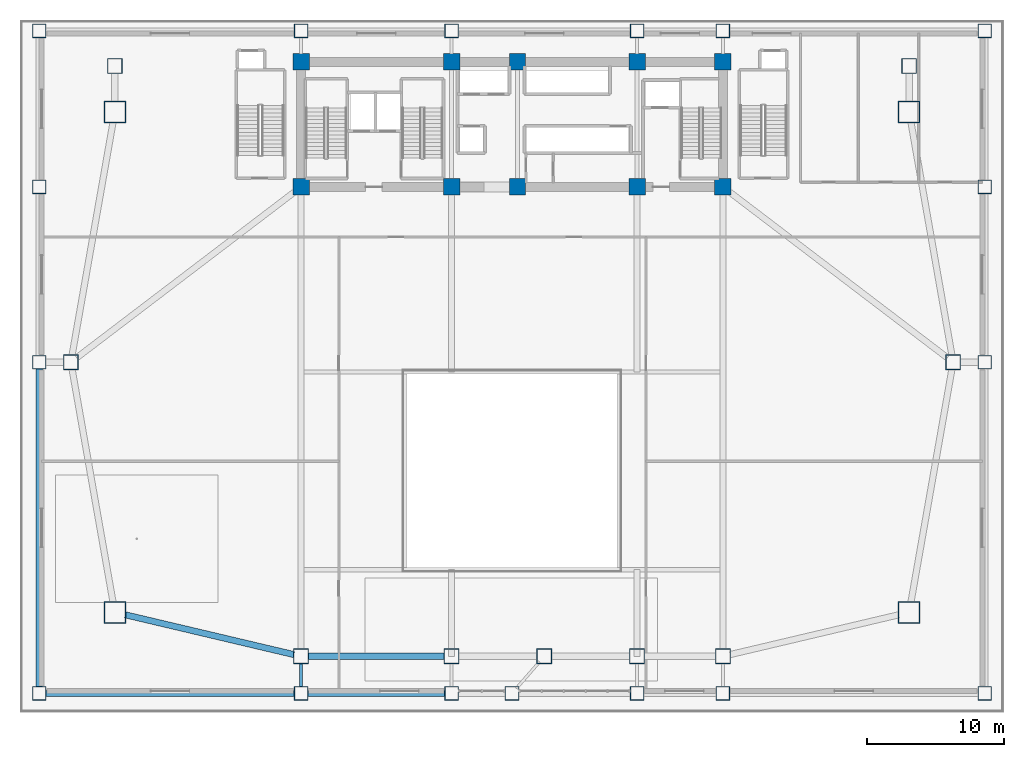
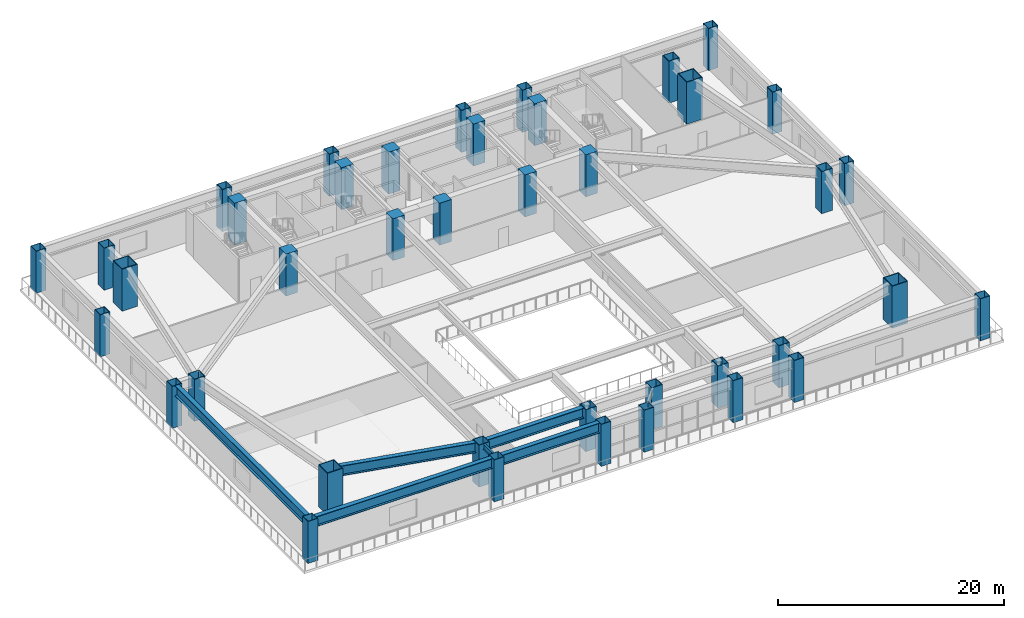
# One storey, part 1 of 14: 40 columns, 6 beams.
"""IFC4 building model written with IfcOpenShell, lengths in metres."""

from ifc_helpers import new_model, si_unit, direction, frame, origin, origin_2d, place, context, subcontext, project, spatial, rectangle, hollow_rectangle, i_section, extrude, source, transform, mapped, material, material_profile, profile_set, type_object, element, save


model = new_model("IFC4")

# Units and contexts
model_context = context("Model", 3, precision=1e-05, world=origin(), true_north=direction((0.0, 1.0)))
body_context = subcontext(model_context, "Body", "Model", "MODEL_VIEW")
ifc_project = project(units=[si_unit("LENGTHUNIT", "METRE"), si_unit("AREAUNIT", "SQUARE_METRE"), si_unit("VOLUMEUNIT", "CUBIC_METRE"), si_unit("PLANEANGLEUNIT", "RADIAN"), si_unit("MASSUNIT", "GRAM", prefix="KILO")], contexts=[model_context])

# Site, building, storey
site_placement = place(None, origin())
site = spatial("IfcSite", under=ifc_project, at=site_placement, CompositionType="ELEMENT")
building_placement = place(site_placement, origin())
building = spatial("IfcBuilding", under=site, at=building_placement, Name="Giltprow Tower", CompositionType="ELEMENT")
storey_placement = place(building_placement, frame((0.0, 0.0, 10.39990234375)))
storey = spatial("IfcBuildingStorey", under=building, at=storey_placement, Name="L03", CompositionType="ELEMENT", Elevation=10.39990234375)

# Columns
ifc_material_1 = material(Name="Concrete C60", Category="concrete")
ifc_material_profile_1 = material_profile(ifc_material_1, rectangle(XDim=1.199951171875, YDim=1.199951171875, at=origin_2d()), Name="RC 1200x1200")
ifc_profile_set_1 = profile_set([ifc_material_profile_1], Name="Concrete C60")
column_type_1 = type_object("IfcColumnType", Name="PIL-RC-1200-C60", PredefinedType="PILASTER", material=ifc_profile_set_1)
shared_shape_1 = source(origin(), body_context, "Body", "SweptSolid", [
    extrude(rectangle(XDim=1.199951171875, YDim=1.199951171875, at=origin_2d()), origin(), (0.0, 0.0, 1.0), 4.5400390625),
])
for number, where, z_axis, x_axis, name in (
    (1, (19.85009765625, 37.449951171875, 0.0), (0.0, 0.0, 1.0), (1.0, 0.0, 0.0), "L03 Core Boundary Pilaster 1-1"),
    (2, (19.85009765625, 46.550048828125, 0.0), (0.0, 0.0, 1.0), (1.0, 0.0, 0.0), "L03 Core Boundary Pilaster 1-2"),
    (3, (30.800048828125, 37.449951171875, 0.0), (0.0, 0.0, 1.0), (1.0, 0.0, 0.0), "L03 Core Boundary Pilaster 2-1"),
    (4, (30.800048828125, 46.550048828125, 0.0), (0.0, 0.0, 1.0), (1.0, 0.0, 0.0), "L03 Core Boundary Pilaster 2-2"),
    (5, (35.60009765625, 37.449951171875, 0.0), (0.0, 0.0, 1.0), (1.0, 0.0, 0.0), "L03 Core Boundary Pilaster 3-1"),
    (6, (35.60009765625, 46.550048828125, 0.0), (0.0, 0.0, 1.0), (1.0, 0.0, 0.0), "L03 Core Boundary Pilaster 3-2"),
    (7, (44.300048828125, 37.449951171875, 0.0), (0.0, 0.0, 1.0), (1.0, 0.0, 0.0), "L03 Core Boundary Pilaster 4-1"),
    (8, (44.300048828125, 46.550048828125, 0.0), (0.0, 0.0, 1.0), (1.0, 0.0, 0.0), "L03 Core Boundary Pilaster 4-2"),
    (9, (50.550048828125, 37.449951171875, 0.0), (0.0, 0.0, 1.0), (1.0, 0.0, 0.0), "L03 Core Boundary Pilaster 5-1"),
    (10, (50.550048828125, 46.550048828125, 0.0), (0.0, 0.0, 1.0), (1.0, 0.0, 0.0), "L03 Core Boundary Pilaster 5-2"),
):
    element("IfcColumn", number, at=place(storey_placement, frame(where, z_axis=z_axis, x_axis=x_axis)), inside=storey, type_object=column_type_1, Name=name, PredefinedType="PILASTER", context=body_context, shape_type="MappedRepresentation", body=[
        mapped(shared_shape_1, transform((0.0, 0.0, 0.0), x_axis=(1.0, 0.0, 0.0), y_axis=(0.0, 1.0, 0.0), z_axis=(0.0, 0.0, 1.0), scale=1.0)),
    ])
ifc_material_2 = material(Name="Structural steel Q420GJC", Category="steel")
ifc_material_profile_2 = material_profile(ifc_material_2, hollow_rectangle(XDim=1.60009765625, YDim=1.60009765625, WallThickness=0.074951171875, at=origin_2d()), Name="BOX 1600x1600x75")
ifc_profile_set_2 = profile_set([ifc_material_profile_2], Name="Structural steel Q420GJC")
column_type_2 = type_object("IfcColumnType", Name="COL-BOX-1600x1600x75", PredefinedType="COLUMN", material=ifc_profile_set_2)
shared_shape_2 = source(origin(), body_context, "Body", "SweptSolid", [
    extrude(hollow_rectangle(XDim=1.60009765625, YDim=1.60009765625, WallThickness=0.074951171875, at=origin_2d()), origin(), (0.0, 0.0, 1.0), 4.5400390625),
])
for number, where, z_axis, x_axis, name in (
    (11, (6.300048828125, 6.5, 0.0), (0.0, 0.0, 1.0), (1.0, 0.0, 0.0), "L03 Continuous Tower Column MC_SW"),
    (12, (64.10009765625, 6.5, 0.0), (0.0, 0.0, 1.0), (1.0, 0.0, 0.0), "L03 Continuous Tower Column MC_SE"),
    (13, (6.300048828125, 42.89990234375, 0.0), (0.0, 0.0, 1.0), (1.0, 0.0, 0.0), "L03 Continuous Tower Column MC_NW"),
    (14, (64.10009765625, 42.89990234375, 0.0), (0.0, 0.0, 1.0), (1.0, 0.0, 0.0), "L03 Continuous Tower Column MC_NE"),
):
    element("IfcColumn", number, at=place(storey_placement, frame(where, z_axis=z_axis, x_axis=x_axis)), inside=storey, type_object=column_type_2, Name=name, PredefinedType="COLUMN", context=body_context, shape_type="MappedRepresentation", body=[
        mapped(shared_shape_2, transform((0.0, 0.0, 0.0), x_axis=(1.0, 0.0, 0.0), y_axis=(0.0, 1.0, 0.0), z_axis=(0.0, 0.0, 1.0), scale=1.0)),
    ])
ifc_material_profile_3 = material_profile(ifc_material_2, hollow_rectangle(XDim=1.10009765625, YDim=1.10009765625, WallThickness=0.050048828125, at=origin_2d()), Name="BOX 1100x1100x50")
ifc_profile_set_3 = profile_set([ifc_material_profile_3], Name="Structural steel Q420GJC")
column_type_3 = type_object("IfcColumnType", Name="COL-BOX-1100x1100x50", PredefinedType="COLUMN", material=ifc_profile_set_3)
shared_shape_3 = source(origin(), body_context, "Body", "SweptSolid", [
    extrude(hollow_rectangle(XDim=1.10009765625, YDim=1.10009765625, WallThickness=0.050048828125, at=origin_2d()), origin(), (0.0, 0.0, 1.0), 4.5400390625),
])
for number, where, z_axis, x_axis, name in (
    (15, (19.85009765625, 3.300048828125, 0.0), (0.0, 0.0, 1.0), (1.0, 0.0, 0.0), "L03 Continuous Tower Column S1"),
    (16, (30.800048828125, 3.300048828125, 0.0), (0.0, 0.0, 1.0), (1.0, 0.0, 0.0), "L03 Continuous Tower Column S2"),
    (17, (37.550048828125, 3.300048828125, 0.0), (0.0, 0.0, 1.0), (1.0, 0.0, 0.0), "L03 Continuous Tower Column S_MID"),
    (18, (44.300048828125, 3.300048828125, 0.0), (0.0, 0.0, 1.0), (1.0, 0.0, 0.0), "L03 Continuous Tower Column S3"),
    (19, (50.550048828125, 3.300048828125, 0.0), (0.0, 0.0, 1.0), (1.0, 0.0, 0.0), "L03 Continuous Tower Column S4"),
    (20, (3.10009765625, 24.699951171875, 0.0), (0.0, 0.0, 1.0), (1.0, 0.0, 0.0), "L03 Continuous Tower Column W_MID"),
    (21, (67.300048828125, 24.699951171875, 0.0), (0.0, 0.0, 1.0), (1.0, 0.0, 0.0), "L03 Continuous Tower Column E_MID"),
    (22, (6.300048828125, 46.25, 0.0), (0.0, 0.0, 1.0), (1.0, 0.0, 0.0), "L03 Continuous Tower Column N_W"),
    (23, (64.10009765625, 46.25, 0.0), (0.0, 0.0, 1.0), (1.0, 0.0, 0.0), "L03 Continuous Tower Column N_E"),
):
    element("IfcColumn", number, at=place(storey_placement, frame(where, z_axis=z_axis, x_axis=x_axis)), inside=storey, type_object=column_type_3, Name=name, PredefinedType="COLUMN", context=body_context, shape_type="MappedRepresentation", body=[
        mapped(shared_shape_3, transform((0.0, 0.0, 0.0), x_axis=(1.0, 0.0, 0.0), y_axis=(0.0, 1.0, 0.0), z_axis=(0.0, 0.0, 1.0), scale=1.0)),
    ])
ifc_material_profile_4 = material_profile(ifc_material_2, hollow_rectangle(XDim=1.0, YDim=1.0, WallThickness=0.044921875, at=origin_2d()), Name="BOX 1000x1000x45")
ifc_profile_set_4 = profile_set([ifc_material_profile_4], Name="Structural steel Q420GJC")
column_type_4 = type_object("IfcColumnType", Name="COL-BOX-1000x1000x45", PredefinedType="COLUMN", material=ifc_profile_set_4)
shared_shape_4 = source(origin(), body_context, "Body", "SweptSolid", [
    extrude(hollow_rectangle(XDim=1.0, YDim=1.0, WallThickness=0.044921875, at=origin_2d()), origin(), (0.0, 0.0, 1.0), 4.5400390625),
])
for number, where, z_axis, x_axis, name in (
    (24, (0.800048828125, 0.60009765625, 0.0), (0.0, 0.0, 1.0), (1.0, 0.0, 0.0), "L03 Podium Column (0.8,0.6)"),
    (25, (19.85009765625, 0.60009765625, 0.0), (0.0, 0.0, 1.0), (1.0, 0.0, 0.0), "L03 Podium Column (19.9,0.6)"),
    (26, (30.800048828125, 0.60009765625, 0.0), (0.0, 0.0, 1.0), (1.0, 0.0, 0.0), "L03 Podium Column (30.8,0.6)"),
    (27, (35.199951171875, 0.60009765625, 0.0), (0.0, 0.0, 1.0), (1.0, 0.0, 0.0), "L03 Podium Column (35.2,0.6)"),
    (28, (44.300048828125, 0.60009765625, 0.0), (0.0, 0.0, 1.0), (1.0, 0.0, 0.0), "L03 Podium Column (44.3,0.6)"),
    (29, (50.550048828125, 0.60009765625, 0.0), (0.0, 0.0, 1.0), (1.0, 0.0, 0.0), "L03 Podium Column (50.5,0.6)"),
    (30, (69.60009765625, 0.60009765625, 0.0), (0.0, 0.0, 1.0), (1.0, 0.0, 0.0), "L03 Podium Column (69.6,0.6)"),
    (31, (0.800048828125, 24.699951171875, 0.0), (0.0, 0.0, 1.0), (1.0, 0.0, 0.0), "L03 Podium Column (0.8,24.7)"),
    (32, (69.60009765625, 24.699951171875, 0.0), (0.0, 0.0, 1.0), (1.0, 0.0, 0.0), "L03 Podium Column (69.6,24.7)"),
    (33, (0.800048828125, 37.449951171875, 0.0), (0.0, 0.0, 1.0), (1.0, 0.0, 0.0), "L03 Podium Column (0.8,37.5)"),
    (34, (69.60009765625, 37.449951171875, 0.0), (0.0, 0.0, 1.0), (1.0, 0.0, 0.0), "L03 Podium Column (69.6,37.5)"),
    (35, (0.800048828125, 48.800048828125, 0.0), (0.0, 0.0, 1.0), (1.0, 0.0, 0.0), "L03 Podium Column (0.8,48.8)"),
    (36, (19.85009765625, 48.800048828125, 0.0), (0.0, 0.0, 1.0), (1.0, 0.0, 0.0), "L03 Podium Column (19.9,48.8)"),
    (37, (30.800048828125, 48.800048828125, 0.0), (0.0, 0.0, 1.0), (1.0, 0.0, 0.0), "L03 Podium Column (30.8,48.8)"),
    (38, (44.300048828125, 48.800048828125, 0.0), (0.0, 0.0, 1.0), (1.0, 0.0, 0.0), "L03 Podium Column (44.3,48.8)"),
    (39, (50.550048828125, 48.800048828125, 0.0), (0.0, 0.0, 1.0), (1.0, 0.0, 0.0), "L03 Podium Column (50.5,48.8)"),
    (40, (69.60009765625, 48.800048828125, 0.0), (0.0, 0.0, 1.0), (1.0, 0.0, 0.0), "L03 Podium Column (69.6,48.8)"),
):
    element("IfcColumn", number, at=place(storey_placement, frame(where, z_axis=z_axis, x_axis=x_axis)), inside=storey, type_object=column_type_4, Name=name, PredefinedType="COLUMN", context=body_context, shape_type="MappedRepresentation", body=[
        mapped(shared_shape_4, transform((0.0, 0.0, 0.0), x_axis=(1.0, 0.0, 0.0), y_axis=(0.0, 1.0, 0.0), z_axis=(0.0, 0.0, 1.0), scale=1.0)),
    ])

# Beams
ifc_material_profile_5 = material_profile(ifc_material_2, i_section(OverallWidth=0.449951171875, OverallDepth=1.10009765625, WebThickness=0.02587890625, FlangeThickness=0.0419921875, at=origin_2d()), Name="WH 1100x450x26x42")
ifc_profile_set_5 = profile_set([ifc_material_profile_5], Name="Structural steel Q420GJC")
beam_type_1 = type_object("IfcBeamType", Name="BM-GIRD-WH1100", PredefinedType="BEAM", material=ifc_profile_set_5)
shared_shape_5 = source(origin(), body_context, "Body", "SweptSolid", [
    extrude(i_section(OverallWidth=0.449951171875, OverallDepth=1.10009765625, WebThickness=0.02587890625, FlangeThickness=0.0419921875, at=origin_2d()), origin(), (0.0, 0.0, 1.0), 12.6025390625),
])
beam_1_placement = place(storey_placement, frame((7.06396484375, 6.320068359375, 3.989990234375), z_axis=(0.973221185684, -0.22987066741, 0.0), x_axis=(0.22987066741, 0.973221185684, 0.0)))
element("IfcBeam", 41, at=beam_1_placement, inside=storey, type_object=beam_type_1, Name="L03 Tower Base Ring Girder 1", PredefinedType="BEAM", context=body_context, shape_type="MappedRepresentation", body=[
    mapped(shared_shape_5, transform((0.0, 0.0, 0.0), x_axis=(1.0, 0.0, 0.0), y_axis=(0.0, 1.0, 0.0), z_axis=(0.0, 0.0, 1.0), scale=1.0)),
])
shared_shape_6 = source(origin(), body_context, "Body", "SweptSolid", [
    extrude(i_section(OverallWidth=0.449951171875, OverallDepth=1.10009765625, WebThickness=0.02587890625, FlangeThickness=0.0419921875, at=origin_2d()), origin(), (0.0, 0.0, 1.0), 9.8798828125),
])
beam_2_placement = place(storey_placement, frame((20.385009765625, 3.300048828125, 3.989990234375), z_axis=(1.0, 0.0, 0.0), x_axis=(0.0, 1.0, 0.0)))
element("IfcBeam", 42, at=beam_2_placement, inside=storey, type_object=beam_type_1, Name="L03 Tower Base Ring Girder 2", PredefinedType="BEAM", context=body_context, shape_type="MappedRepresentation", body=[
    mapped(shared_shape_6, transform((0.0, 0.0, 0.0), x_axis=(1.0, 0.0, 0.0), y_axis=(0.0, 1.0, 0.0), z_axis=(0.0, 0.0, 1.0), scale=1.0)),
])
shared_shape_7 = source(origin(), body_context, "Body", "SweptSolid", [
    extrude(i_section(OverallWidth=0.449951171875, OverallDepth=1.10009765625, WebThickness=0.02587890625, FlangeThickness=0.0419921875, at=origin_2d()), origin(), (0.0, 0.0, 1.0), 18.080078125),
])
beam_3_placement = place(storey_placement, frame((1.284912109375, 0.60009765625, 3.989990234375), z_axis=(1.0, 0.0, 0.0), x_axis=(0.0, 1.0, 0.0)))
element("IfcBeam", 43, at=beam_3_placement, inside=storey, type_object=beam_type_1, Name="L03 Podium South Edge Girder", PredefinedType="BEAM", context=body_context, shape_type="MappedRepresentation", body=[
    mapped(shared_shape_7, transform((0.0, 0.0, 0.0), x_axis=(1.0, 0.0, 0.0), y_axis=(0.0, 1.0, 0.0), z_axis=(0.0, 0.0, 1.0), scale=1.0)),
])
shared_shape_8 = source(origin(), body_context, "Body", "SweptSolid", [
    extrude(i_section(OverallWidth=0.449951171875, OverallDepth=1.10009765625, WebThickness=0.02587890625, FlangeThickness=0.0419921875, at=origin_2d()), origin(), (0.0, 0.0, 1.0), 9.97998046875),
])
beam_4_placement = place(storey_placement, frame((20.3349609375, 0.60009765625, 3.989990234375), z_axis=(1.0, 0.0, 0.0), x_axis=(0.0, 1.0, 0.0)))
element("IfcBeam", 44, at=beam_4_placement, inside=storey, type_object=beam_type_1, Name="L03 Podium South Edge Girder", PredefinedType="BEAM", context=body_context, shape_type="MappedRepresentation", body=[
    mapped(shared_shape_8, transform((0.0, 0.0, 0.0), x_axis=(1.0, 0.0, 0.0), y_axis=(0.0, 1.0, 0.0), z_axis=(0.0, 0.0, 1.0), scale=1.0)),
])
shared_shape_9 = source(origin(), body_context, "Body", "SweptSolid", [
    extrude(i_section(OverallWidth=0.449951171875, OverallDepth=1.10009765625, WebThickness=0.02587890625, FlangeThickness=0.0419921875, at=origin_2d()), origin(), (0.0, 0.0, 1.0), 23.130126953125),
])
beam_5_placement = place(storey_placement, frame((0.800048828125, 1.0849609375, 3.989990234375), z_axis=(0.0, 1.0, 0.0), x_axis=(-1.0, 0.0, 0.0)))
element("IfcBeam", 45, at=beam_5_placement, inside=storey, type_object=beam_type_1, Name="L03 Podium Side Girder", PredefinedType="BEAM", context=body_context, shape_type="MappedRepresentation", body=[
    mapped(shared_shape_9, transform((0.0, 0.0, 0.0), x_axis=(1.0, 0.0, 0.0), y_axis=(0.0, 1.0, 0.0), z_axis=(0.0, 0.0, 1.0), scale=1.0)),
])
ifc_material_3 = material(Name="Structural steel Q355B", Category="steel")
ifc_material_profile_6 = material_profile(ifc_material_3, i_section(OverallWidth=0.199951171875, OverallDepth=0.60009765625, WebThickness=0.010986328125, FlangeThickness=0.01708984375, at=origin_2d()), Name="HN 600x200x11x17")
ifc_profile_set_6 = profile_set([ifc_material_profile_6], Name="Structural steel Q355B")
beam_type_2 = type_object("IfcBeamType", Name="BM-GIRD-HN600", PredefinedType="BEAM", material=ifc_profile_set_6)
shared_shape_10 = source(origin(), body_context, "Body", "SweptSolid", [
    extrude(i_section(OverallWidth=0.199951171875, OverallDepth=0.60009765625, WebThickness=0.010986328125, FlangeThickness=0.01708984375, at=origin_2d()), origin(), (0.0, 0.0, 1.0), 1.679931640625),
])
beam_6_placement = place(storey_placement, frame((19.85009765625, 1.0849609375, 4.239990234375), z_axis=(0.0, 1.0, 0.0), x_axis=(-1.0, 0.0, 0.0)))
element("IfcBeam", 46, at=beam_6_placement, inside=storey, type_object=beam_type_2, Name="L03 South Perimeter Tie S1", PredefinedType="BEAM", context=body_context, shape_type="MappedRepresentation", body=[
    mapped(shared_shape_10, transform((0.0, 0.0, 0.0), x_axis=(1.0, 0.0, 0.0), y_axis=(0.0, 1.0, 0.0), z_axis=(0.0, 0.0, 1.0), scale=1.0)),
])

save(model, "model.ifc")
